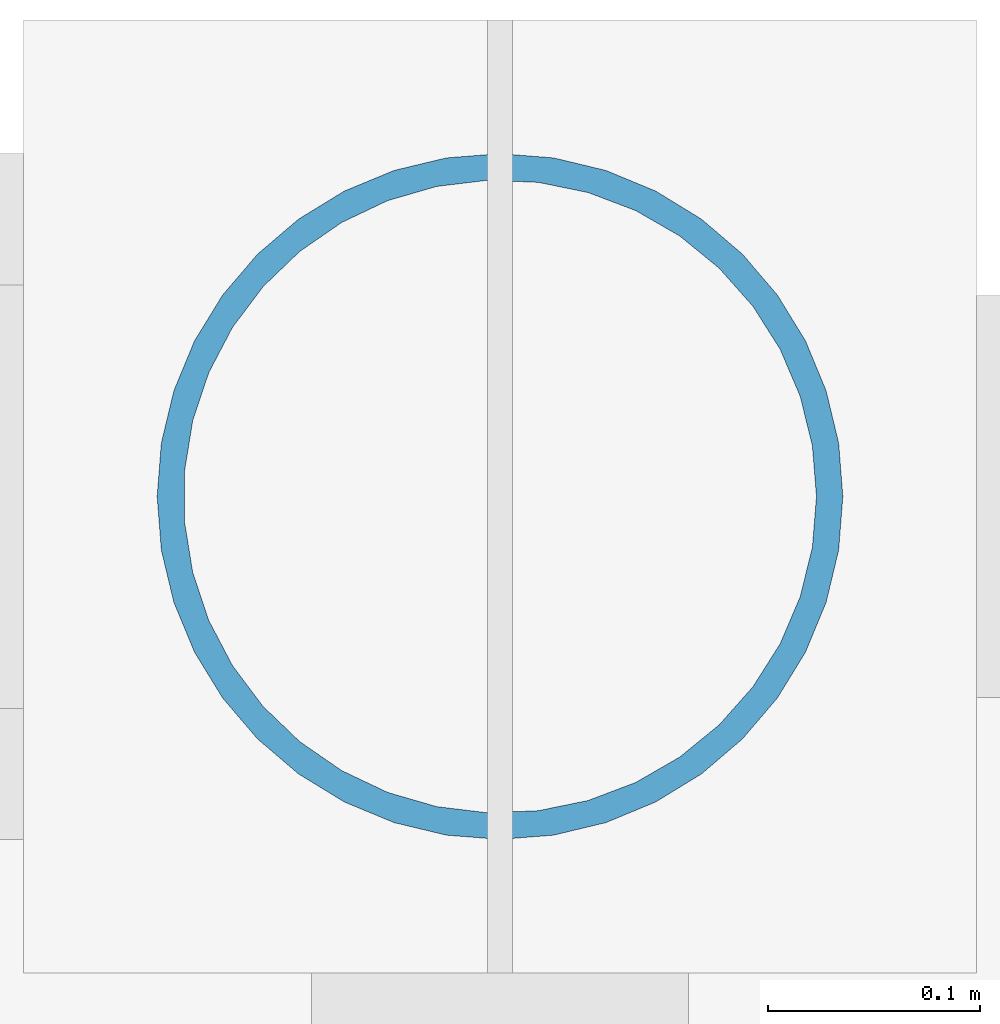
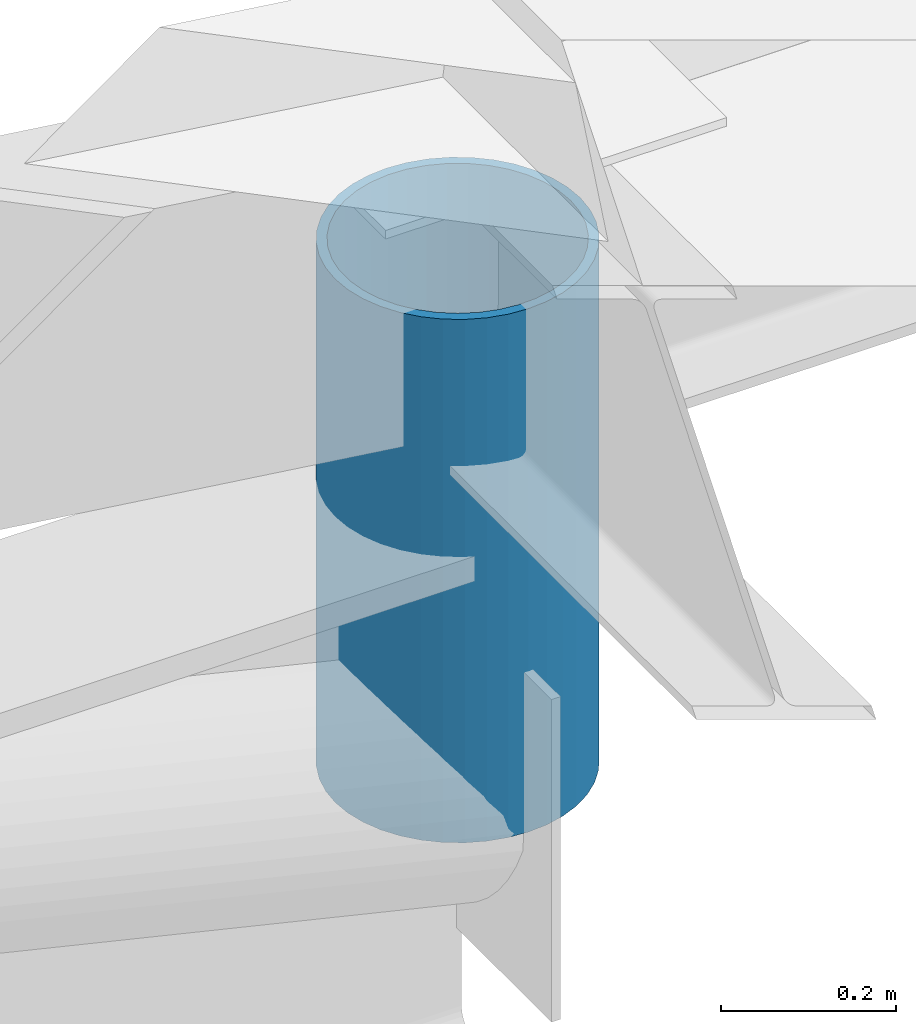
# One storey, part 6 of 11: 1 member.
"""IFC4 building model written with IfcOpenShell, lengths in metres."""

from ifc_helpers import new_model, si_unit, direction, frame, origin, origin_2d, place, context, subcontext, project, spatial, hollow_circle, extrude, material, material_profile, profile_set, type_object, element, save


model = new_model("IFC4")

# Units and contexts
model_context = context("Model", 3, precision=1e-05, world=origin(), true_north=direction((0.0, 1.0)))
body_context = subcontext(model_context, "Body", "Model", "MODEL_VIEW")
ifc_project = project(units=[si_unit("LENGTHUNIT", "METRE"), si_unit("AREAUNIT", "SQUARE_METRE"), si_unit("VOLUMEUNIT", "CUBIC_METRE"), si_unit("PLANEANGLEUNIT", "RADIAN"), si_unit("MASSUNIT", "GRAM", prefix="KILO"), si_unit("THERMODYNAMICTEMPERATUREUNIT", "KELVIN"), si_unit("POWERUNIT", "WATT")], contexts=[model_context])

# Site, building, storey
site_placement = place(None, origin())
site = spatial("IfcSite", under=ifc_project, at=site_placement, CompositionType="ELEMENT")
building_placement = place(site_placement, origin())
building = spatial("IfcBuilding", under=site, at=building_placement, Name="Tembeka Court Mobility Hub", CompositionType="ELEMENT")
storey_placement = place(building_placement, frame((0.0, 0.0, 28.800048828125)))
storey = spatial("IfcBuildingStorey", under=building, at=storey_placement, Name="RF", CompositionType="ELEMENT", Elevation=28.800048828125)

# Member
ifc_material = material(Name="Steel S355", Category="steel")
ifc_material_profile = material_profile(ifc_material, hollow_circle(Radius=0.161865234375, WallThickness=0.012451171875, at=origin_2d()), Name="CHS 323.9x12.5")
ifc_profile_set = profile_set([ifc_material_profile], Name="Steel S355")
member_type = type_object("IfcMemberType", Name="MEM-ST01", PredefinedType="STRUT", material=ifc_profile_set)
member_placement = place(storey_placement, frame((84.0, 80.39990234375, -1.150146484375), z_axis=(0.0, 0.0, 1.0), x_axis=(1.0, 0.0, 0.0)))
element("IfcMember", 1, at=member_placement, inside=storey, type_object=member_type, Name="Sports hall arch springing post SR01-6-P2", PredefinedType="STRUT", context=body_context, shape_type="SweptSolid", body=[
    extrude(hollow_circle(Radius=0.161865234375, WallThickness=0.012451171875, at=origin_2d()), origin(), (0.0, 0.0, 1.0), 0.72998046875),
])

save(model, "model.ifc")
